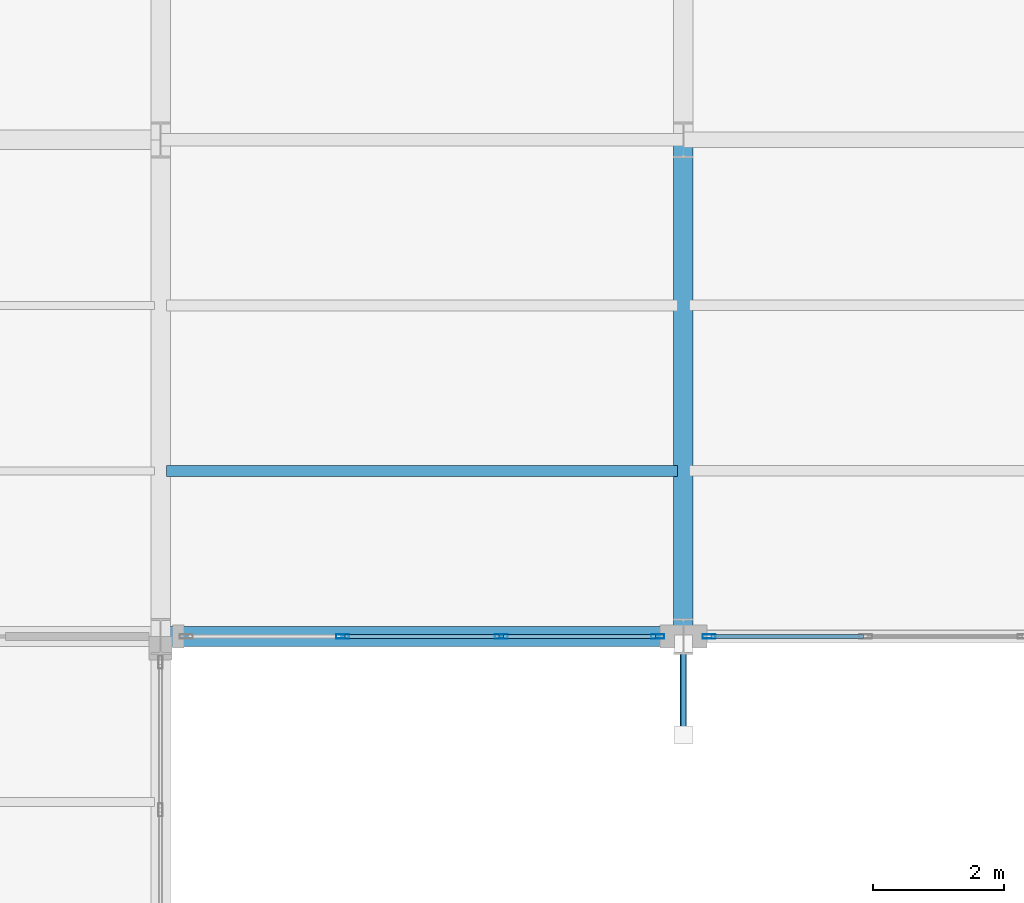
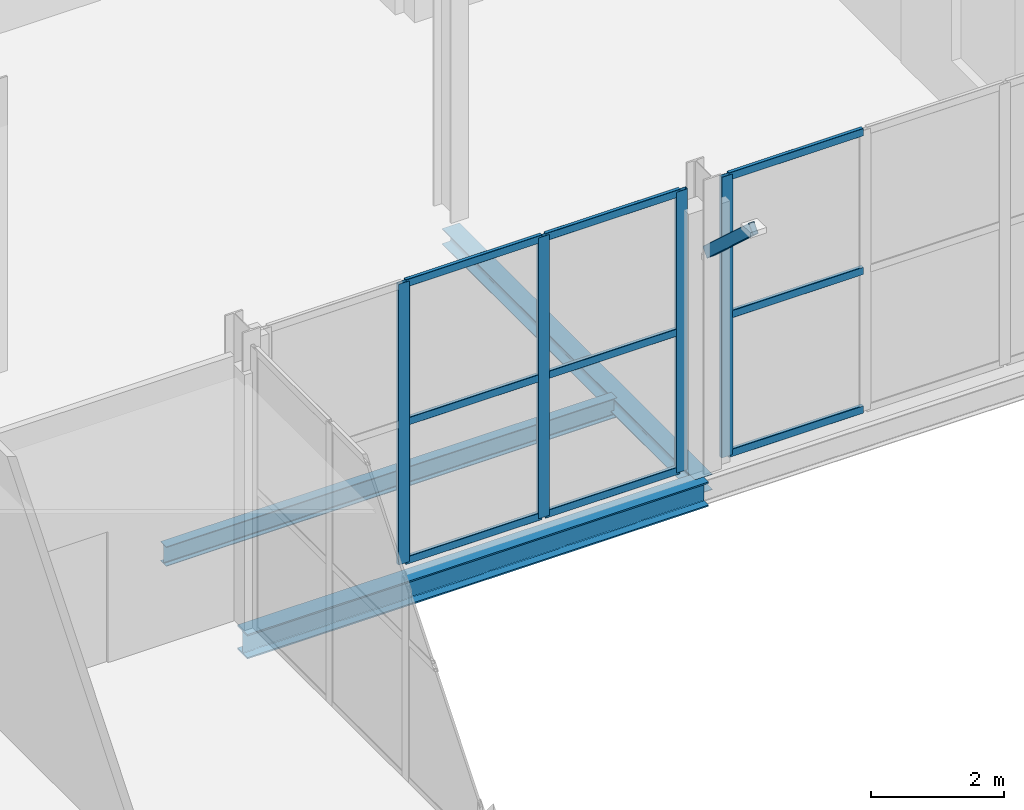
# One storey, part 74 of 147: 14 members, 3 beams, 2 elements without a shape of their own.
"""IFC4 building model written with IfcOpenShell, lengths in metres."""

import ifcopenshell
import ifcopenshell.guid

model = None  # the IFC model being written
_history = None  # IfcOwnerHistory: only IFC2X3 demands one
_inside = {}  # id of a spatial element -> (the spatial element, [elements in it])
_under = {}  # id of a project, library or spatial element -> (it, [spatial elements below it])
_declared = {}  # id of a project -> (the project, [libraries it declares])
_typed = {}  # id of a type object -> (the type object, [elements of that type])
_made_of = {}  # id of a material, layer set ... -> (it, [elements and type objects made of it])


def new_model(schema):
    """Start an empty IFC model of exactly this schema.

    Asked for "IFC4X3", IfcOpenShell would pick the latest addendum, in which some entities
    have other attributes; the version numbers below select the first issue.
    IFC2X3 requires an IfcOwnerHistory on every rooted entity: one is made here for all.
    """
    global model, _history
    if schema == "IFC4X3":
        model = ifcopenshell.file(schema_version=(4, 3, 0, 0))
    else:
        model = ifcopenshell.file(schema=schema)
    _inside.clear()
    _under.clear()
    _declared.clear()
    _typed.clear()
    _made_of.clear()
    _history = None
    if model.schema == "IFC2X3":
        org = make("IfcOrganization", Name="unknown")
        user = make(
            "IfcPersonAndOrganization",
            ThePerson=make("IfcPerson", FamilyName="unknown"),
            TheOrganization=org,
        )
        app = make(
            "IfcApplication",
            ApplicationDeveloper=org,
            Version="unknown",
            ApplicationFullName="unknown",
            ApplicationIdentifier="unknown",
        )
        _history = make(
            "IfcOwnerHistory",
            OwningUser=user,
            OwningApplication=app,
            ChangeAction="ADDED",
            CreationDate=0,
        )
    return model


def make(cls, **values):
    """One entity of the class cls with the attributes given. An attribute that is None is left unset."""
    return model.create_entity(
        cls, **{name: value for name, value in values.items() if value is not None}
    )


def rooted(cls, **values):
    """An entity with a GlobalId (a new one), such as an element, a storey or a relation."""
    return make(cls, GlobalId=ifcopenshell.guid.new(), OwnerHistory=_history, **values)


def si_unit(unit_type, name, prefix=None):
    """IfcSIUnit, for example si_unit("LENGTHUNIT", "METRE", prefix="MILLI")."""
    return make("IfcSIUnit", UnitType=unit_type, Prefix=prefix, Name=name)


def assignment(units):
    """IfcUnitAssignment: the units of a project."""
    return None if units is None else make("IfcUnitAssignment", Units=units)


def point(xyz):
    """IfcCartesianPoint."""
    return None if xyz is None else make("IfcCartesianPoint", Coordinates=xyz)


def direction(xyz):
    """IfcDirection."""
    return None if xyz is None else make("IfcDirection", DirectionRatios=xyz)


def frame(location, z_axis=None, x_axis=None):
    """IfcAxis2Placement3D, a coordinate frame: its origin and axes. An axis left out is left unset."""
    return make(
        "IfcAxis2Placement3D",
        Location=point(location),
        Axis=direction(z_axis),
        RefDirection=direction(x_axis),
    )


def frame_2d(location, x_axis=None):
    """IfcAxis2Placement2D, a coordinate frame in the plane: its origin and x axis."""
    return make(
        "IfcAxis2Placement2D", Location=point(location), RefDirection=direction(x_axis)
    )


def origin():
    """The frame at (0, 0, 0) with its axes left unset."""
    return frame((0.0, 0.0, 0.0))


def origin_2d():
    """The frame at (0, 0) in the plane with its x axis left unset."""
    return frame_2d((0.0, 0.0))


def place(relative_to, where):
    """IfcLocalPlacement: puts the frame where relative to a parent placement (None: the world)."""
    return make(
        "IfcLocalPlacement", PlacementRelTo=relative_to, RelativePlacement=where
    )


def context(
    kind, dimensions, precision=None, world=None, true_north=None, identifier=None
):
    """IfcGeometricRepresentationContext, for example the 3D "Model" context."""
    return make(
        "IfcGeometricRepresentationContext",
        ContextIdentifier=identifier,
        ContextType=kind,
        CoordinateSpaceDimension=dimensions,
        Precision=precision,
        WorldCoordinateSystem=world,
        TrueNorth=true_north,
    )


def subcontext(parent, identifier, kind, view, scale=None):
    """IfcGeometricRepresentationSubContext, for example "Body" below "Model"."""
    return make(
        "IfcGeometricRepresentationSubContext",
        ContextIdentifier=identifier,
        ContextType=kind,
        ParentContext=parent,
        TargetScale=scale,
        TargetView=view,
    )


def project(units=None, contexts=None):
    """IfcProject with its units and contexts."""
    return rooted(
        "IfcProject",
        Name="project",
        RepresentationContexts=contexts,
        UnitsInContext=assignment(units),
    )


def spatial(cls, under=None, at=None, **own):
    """A site, building, storey or space (cls), placed at a placement, below another one or the project."""
    s = rooted(cls, ObjectPlacement=at, **own)
    if under is not None:
        _under.setdefault(under.id(), (under, []))[1].append(s)
    return s


def profile(cls, at=None, kind="AREA", **sizes):
    """A parametric profile (cls). Its sizes go by their IFC names, for example OverallWidth=200.0."""
    return make(cls, ProfileType=kind, Position=at, **sizes)


def hollow_rectangle(**sizes):
    """IfcRectangleHollowProfileDef."""
    return profile("IfcRectangleHollowProfileDef", **sizes)


def i_section(**sizes):
    """IfcIShapeProfileDef."""
    return profile("IfcIShapeProfileDef", **sizes)


def extrude(swept, where, along, depth):
    """IfcExtrudedAreaSolid: the profile swept, set in the frame where, extruded along a direction by depth."""
    return make(
        "IfcExtrudedAreaSolid",
        SweptArea=swept,
        Position=where,
        ExtrudedDirection=direction(along),
        Depth=depth,
    )


def shape(context_of_items, identifier, shape_type, items):
    """IfcShapeRepresentation: the items that make up one representation, for example the "Body"."""
    return make(
        "IfcShapeRepresentation",
        ContextOfItems=context_of_items,
        RepresentationIdentifier=identifier,
        RepresentationType=shape_type,
        Items=items,
    )


def material(Name=None, Category=None):
    """IfcMaterial."""
    return make("IfcMaterial", Name=Name, Category=Category)


def layer(
    of_material, thickness, ventilated=None, Name=None, Category=None, Priority=None
):
    """IfcMaterialLayer: one layer of a wall or slab, of a material (None: an air gap)."""
    return make(
        "IfcMaterialLayer",
        Material=of_material,
        LayerThickness=thickness,
        IsVentilated=ventilated,
        Name=Name,
        Category=Category,
        Priority=Priority,
    )


def layer_set(layers, Name=None):
    """IfcMaterialLayerSet."""
    return make("IfcMaterialLayerSet", MaterialLayers=layers, LayerSetName=Name)


def material_profile(
    of_material, cross_section, Name=None, Category=None, Priority=None
):
    """IfcMaterialProfile: a cross section and its material."""
    return make(
        "IfcMaterialProfile",
        Name=Name,
        Material=of_material,
        Profile=cross_section,
        Priority=Priority,
        Category=Category,
    )


def profile_set(profiles, Name=None, composite=None):
    """IfcMaterialProfileSet."""
    return make(
        "IfcMaterialProfileSet",
        Name=Name,
        MaterialProfiles=profiles,
        CompositeProfile=composite,
    )


def made_of(thing, what):
    """Note that an element or type object is made of a material, layer set ...; save() writes the relation."""
    if what is not None:
        _made_of.setdefault(what.id(), (what, []))[1].append(thing)
    return thing


def type_object(cls, material=None, **own):
    """A type object (cls), such as IfcWallType, which elements share."""
    return made_of(rooted(cls, **own), material)


def element(
    cls,
    number,
    at=None,
    inside=None,
    cuts=None,
    type_object=None,
    material=None,
    context=None,
    identifier="Body",
    shape_type=None,
    held_by="IfcProductDefinitionShape",
    body=None,
    shapes=None,
    **own,
):
    """One element of the class cls, such as IfcWall. Its Tag is "e" and its number.

    at: its placement. inside: the storey or other place that contains it. cuts: it is an
    opening in that element (IfcRelVoidsElement). A single representation is given by context,
    identifier, shape_type and body (its items); several are given by shapes. held_by: the class
    of the entity that holds the representations. save() writes the other relations.
    """
    e = rooted(cls, Tag="e%d" % number, ObjectPlacement=at, **own)
    if body is not None:
        shapes = [shape(context, identifier, shape_type, body)]
    if shapes is not None:
        e.Representation = make(held_by, Representations=shapes)
    if inside is not None:
        _inside.setdefault(inside.id(), (inside, []))[1].append(e)
    if cuts is not None:
        rooted(
            "IfcRelVoidsElement", RelatingBuildingElement=cuts, RelatedOpeningElement=e
        )
    if type_object is not None:
        _typed.setdefault(type_object.id(), (type_object, []))[1].append(e)
    return made_of(e, material)


def aggregate(whole, parts):
    """IfcRelAggregates: a whole, such as a stair, and the parts it consists of."""
    return rooted("IfcRelAggregates", RelatingObject=whole, RelatedObjects=parts)


def save(model, path):
    """Write the relations noted so far, then the file.

    IfcRelAggregates (storeys below a building ...), IfcRelContainedInSpatialStructure (elements
    in a storey), IfcRelDefinesByType, IfcRelAssociatesMaterial and IfcRelDeclares: one each for
    every whole, place, type object, material and project.
    """
    for whole, parts in _under.values():
        aggregate(whole, parts)
    for where, things in _inside.values():
        rooted(
            "IfcRelContainedInSpatialStructure",
            RelatedElements=things,
            RelatingStructure=where,
        )
    for kind, things in _typed.values():
        rooted("IfcRelDefinesByType", RelatedObjects=things, RelatingType=kind)
    for what, things in _made_of.values():
        rooted("IfcRelAssociatesMaterial", RelatedObjects=things, RelatingMaterial=what)
    for by, libraries in _declared.values():
        rooted("IfcRelDeclares", RelatingContext=by, RelatedDefinitions=libraries)
    model.write(path)


model = new_model("IFC4")

# Units and contexts
model_context = context("Model", 3, precision=1e-05, world=origin(), true_north=direction((0.0, 1.0)))
body_context = subcontext(model_context, "Body", "Model", "MODEL_VIEW")
ifc_project = project(units=[si_unit("LENGTHUNIT", "METRE"), si_unit("AREAUNIT", "SQUARE_METRE"), si_unit("VOLUMEUNIT", "CUBIC_METRE"), si_unit("PLANEANGLEUNIT", "RADIAN"), si_unit("MASSUNIT", "GRAM", prefix="KILO")], contexts=[model_context])

# Site, building, storey
site_placement = place(None, origin())
site = spatial("IfcSite", under=ifc_project, at=site_placement, CompositionType="ELEMENT")
building_placement = place(site_placement, origin())
building = spatial("IfcBuilding", under=site, at=building_placement, Name="Vekula Escarpment Museum", CompositionType="ELEMENT")
storey_placement = place(building_placement, frame((0.0, 0.0, 7.800048828125)))
storey = spatial("IfcBuildingStorey", under=building, at=storey_placement, Name="L02", CompositionType="ELEMENT", Elevation=7.800048828125)

# Beams
ifc_material_1 = material(Name="Steel S355", Category="steel")
ifc_material_profile_1 = material_profile(ifc_material_1, i_section(OverallWidth=0.300048828125, OverallDepth=0.449951171875, WebThickness=0.013916015625, FlangeThickness=0.02587890625, FilletRadius=0.027099609375, at=origin_2d()), Name="HEB 450")
ifc_profile_set_1 = profile_set([ifc_material_profile_1], Name="Steel S355")
beam_type_1 = type_object("IfcBeamType", Name="BM-GIRD-HEB450", PredefinedType="BEAM", material=ifc_profile_set_1)
beam_1_placement = place(storey_placement, frame((102.0, 120.800048828125, -0.485107421875), z_axis=(1.0, 0.0, 0.0), x_axis=(0.0, 1.0, 0.0)))
element("IfcBeam", 1, at=beam_1_placement, inside=storey, type_object=beam_type_1, Name="Beam X L02 0991", PredefinedType="BEAM", context=body_context, shape_type="SweptSolid", body=[
    extrude(i_section(OverallWidth=0.300048828125, OverallDepth=0.449951171875, WebThickness=0.013916015625, FlangeThickness=0.02587890625, FilletRadius=0.027099609375, at=origin_2d()), origin(), (0.0, 0.0, 1.0), 8.0),
])
ifc_material_2 = material(Name="Steel S355", Category="steel")
ifc_material_profile_2 = material_profile(ifc_material_2, i_section(OverallWidth=0.169921875, OverallDepth=0.360107421875, WebThickness=0.008056640625, FlangeThickness=0.0126953125, FilletRadius=0.01806640625, at=origin_2d()), Name="IPE 360")
ifc_profile_set_2 = profile_set([ifc_material_profile_2], Name="Steel S355")
beam_type_2 = type_object("IfcBeamType", Name="BM-JST-IPE360", PredefinedType="JOIST", material=ifc_profile_set_2)
beam_2_placement = place(storey_placement, frame((102.090087890625, 123.333251953125, -0.43994140625), z_axis=(1.0, 0.0, 0.0), x_axis=(0.0, 1.0, 0.0)))
element("IfcBeam", 2, at=beam_2_placement, inside=storey, type_object=beam_type_2, Name="Secondary Joist L02 0800", PredefinedType="JOIST", context=body_context, shape_type="SweptSolid", body=[
    extrude(i_section(OverallWidth=0.169921875, OverallDepth=0.360107421875, WebThickness=0.008056640625, FlangeThickness=0.0126953125, FilletRadius=0.01806640625, at=origin_2d()), origin(), (0.0, 0.0, 1.0), 7.81982421875),
])
ifc_material_3 = material(Name="Steel S355", Category="steel")
ifc_material_profile_3 = material_profile(ifc_material_3, i_section(OverallWidth=0.300048828125, OverallDepth=0.2900390625, WebThickness=0.008544921875, FlangeThickness=0.013916015625, FilletRadius=0.027099609375, at=origin_2d()), Name="HEA 300")
ifc_profile_set_3 = profile_set([ifc_material_profile_3], Name="Steel S355")
beam_type_3 = type_object("IfcBeamType", Name="BM-SPAN-HEA300", PredefinedType="SPANDREL", material=ifc_profile_set_3)
beam_3_placement = place(storey_placement, frame((110.0, 120.800048828125, -0.405029296875), z_axis=(0.0, 1.0, 0.0), x_axis=(-1.0, 0.0, 0.0)))
element("IfcBeam", 3, at=beam_3_placement, inside=storey, type_object=beam_type_3, Name="Beam Y L02 1192", PredefinedType="SPANDREL", context=body_context, shape_type="SweptSolid", body=[
    extrude(i_section(OverallWidth=0.300048828125, OverallDepth=0.2900390625, WebThickness=0.008544921875, FlangeThickness=0.013916015625, FilletRadius=0.027099609375, at=origin_2d()), origin(), (0.0, 0.0, 1.0), 7.599853515625),
])

# Curtain wall, members
ifc_material_4 = material(Name="Aluminium thermally broken framing", Category="aluminium")
ifc_layer_1 = layer(ifc_material_4, 0.199951171875)
ifc_layer_set_1 = layer_set([ifc_layer_1], Name="Aluminium thermally broken framing")
curtain_wall_type_1 = type_object("IfcCurtainWallType", Name="CW-SYS-03", PredefinedType="NOTDEFINED", material=ifc_layer_set_1)
curtain_wall_1_placement = place(storey_placement, origin())
curtain_wall_1 = element("IfcCurtainWall", 4, at=curtain_wall_1_placement, inside=storey, type_object=curtain_wall_type_1, Name="Curtain Wall CW-L02-083", PredefinedType="NOTDEFINED")
ifc_material_5 = material(Name="Aluminium anodized mullion", Category="aluminium")
ifc_material_profile_4 = material_profile(ifc_material_5, hollow_rectangle(XDim=0.06494140625, YDim=0.199951171875, WallThickness=0.00390625, InnerFilletRadius=0.00390625, OuterFilletRadius=0.008056640625, at=origin_2d()), Name="ALU 200x65x4")
ifc_profile_set_4 = profile_set([ifc_material_profile_4], Name="Aluminium anodized mullion")
member_type_1 = type_object("IfcMemberType", Name="CW-MUL-200", PredefinedType="MULLION", material=ifc_profile_set_4)
member_1_placement = place(storey_placement, frame((104.78662109375, 120.800048828125, 0.0), z_axis=(0.0, 0.0, 1.0), x_axis=(0.0, 1.0, 0.0)))
member_1 = element("IfcMember", 5, at=member_1_placement, type_object=member_type_1, Name="CW-03 mullion 2", PredefinedType="MULLION", context=body_context, shape_type="SweptSolid", body=[
    extrude(hollow_rectangle(XDim=0.06494140625, YDim=0.199951171875, WallThickness=0.00390625, InnerFilletRadius=0.00390625, OuterFilletRadius=0.008056640625, at=origin_2d()), origin(), (0.0, 0.0, 1.0), 5.14990234375),
])
member_2_placement = place(storey_placement, frame((107.21337890625, 120.800048828125, 0.0), z_axis=(0.0, 0.0, 1.0), x_axis=(0.0, 1.0, 0.0)))
member_2 = element("IfcMember", 6, at=member_2_placement, type_object=member_type_1, Name="CW-03 mullion 3", PredefinedType="MULLION", context=body_context, shape_type="SweptSolid", body=[
    extrude(hollow_rectangle(XDim=0.06494140625, YDim=0.199951171875, WallThickness=0.00390625, InnerFilletRadius=0.00390625, OuterFilletRadius=0.008056640625, at=origin_2d()), origin(), (0.0, 0.0, 1.0), 5.14990234375),
])
member_3_placement = place(storey_placement, frame((109.607421875, 120.800048828125, 0.0), z_axis=(0.0, 0.0, 1.0), x_axis=(0.0, 1.0, 0.0)))
member_3 = element("IfcMember", 7, at=member_3_placement, type_object=member_type_1, Name="CW-03 mullion 4", PredefinedType="MULLION", context=body_context, shape_type="SweptSolid", body=[
    extrude(hollow_rectangle(XDim=0.06494140625, YDim=0.199951171875, WallThickness=0.00390625, InnerFilletRadius=0.00390625, OuterFilletRadius=0.008056640625, at=origin_2d()), origin(), (0.0, 0.0, 1.0), 5.14990234375),
])

# Curtain wall, member
ifc_material_6 = material(Name="Aluminium thermally broken framing", Category="aluminium")
ifc_layer_2 = layer(ifc_material_6, 0.199951171875)
ifc_layer_set_2 = layer_set([ifc_layer_2], Name="Aluminium thermally broken framing")
curtain_wall_type_2 = type_object("IfcCurtainWallType", Name="CW-SYS-04", PredefinedType="NOTDEFINED", material=ifc_layer_set_2)
curtain_wall_2_placement = place(storey_placement, origin())
curtain_wall_2 = element("IfcCurtainWall", 8, at=curtain_wall_2_placement, inside=storey, type_object=curtain_wall_type_2, Name="Curtain Wall CW-L02-084", PredefinedType="NOTDEFINED")
member_4_placement = place(storey_placement, frame((110.392578125, 120.800048828125, 0.0), z_axis=(0.0, 0.0, 1.0), x_axis=(0.0, 1.0, 0.0)))
member_4 = element("IfcMember", 9, at=member_4_placement, type_object=member_type_1, Name="CW-04 mullion 1", PredefinedType="MULLION", context=body_context, shape_type="SweptSolid", body=[
    extrude(hollow_rectangle(XDim=0.06494140625, YDim=0.199951171875, WallThickness=0.00390625, InnerFilletRadius=0.00390625, OuterFilletRadius=0.008056640625, at=origin_2d()), origin(), (0.0, 0.0, 1.0), 5.14990234375),
])

# Member
ifc_material_7 = material(Name="Aluminium anodized transom", Category="aluminium")
ifc_material_profile_5 = material_profile(ifc_material_7, hollow_rectangle(XDim=0.06494140625, YDim=0.139892578125, WallThickness=0.00390625, InnerFilletRadius=0.00390625, OuterFilletRadius=0.008056640625, at=origin_2d()), Name="ALU 140x65x4")
ifc_profile_set_5 = profile_set([ifc_material_profile_5], Name="Aluminium anodized transom")
member_type_2 = type_object("IfcMemberType", Name="CW-TRN-140", PredefinedType="USERDEFINED", material=ifc_profile_set_5)
member_5_placement = place(storey_placement, frame((104.819091796875, 120.800048828125, 0.032470703125), z_axis=(1.0, 0.0, 0.0), x_axis=(0.0, 1.0, 0.0)))
member_5 = element("IfcMember", 10, at=member_5_placement, type_object=member_type_2, Name="CW-03 transom 2.1", ObjectType="TRANSOM", PredefinedType="USERDEFINED", context=body_context, shape_type="SweptSolid", body=[
    extrude(hollow_rectangle(XDim=0.06494140625, YDim=0.139892578125, WallThickness=0.00390625, InnerFilletRadius=0.00390625, OuterFilletRadius=0.008056640625, at=origin_2d()), origin(), (0.0, 0.0, 1.0), 2.36181640625),
])

member_6_placement = place(storey_placement, frame((104.819091796875, 120.800048828125, 2.574951171875), z_axis=(1.0, 0.0, 0.0), x_axis=(0.0, 1.0, 0.0)))
member_6 = element("IfcMember", 11, at=member_6_placement, type_object=member_type_2, Name="CW-03 transom 2.2", ObjectType="TRANSOM", PredefinedType="USERDEFINED", context=body_context, shape_type="SweptSolid", body=[
    extrude(hollow_rectangle(XDim=0.06494140625, YDim=0.139892578125, WallThickness=0.00390625, InnerFilletRadius=0.00390625, OuterFilletRadius=0.008056640625, at=origin_2d()), origin(), (0.0, 0.0, 1.0), 2.36181640625),
])

member_7_placement = place(storey_placement, frame((104.819091796875, 120.800048828125, 5.117431640625), z_axis=(1.0, 0.0, 0.0), x_axis=(0.0, 1.0, 0.0)))
member_7 = element("IfcMember", 12, at=member_7_placement, type_object=member_type_2, Name="CW-03 transom 2.3", ObjectType="TRANSOM", PredefinedType="USERDEFINED", context=body_context, shape_type="SweptSolid", body=[
    extrude(hollow_rectangle(XDim=0.06494140625, YDim=0.139892578125, WallThickness=0.00390625, InnerFilletRadius=0.00390625, OuterFilletRadius=0.008056640625, at=origin_2d()), origin(), (0.0, 0.0, 1.0), 2.36181640625),
])

member_8_placement = place(storey_placement, frame((107.245849609375, 120.800048828125, 0.032470703125), z_axis=(1.0, 0.0, 0.0), x_axis=(0.0, 1.0, 0.0)))
member_8 = element("IfcMember", 13, at=member_8_placement, type_object=member_type_2, Name="CW-03 transom 3.1", ObjectType="TRANSOM", PredefinedType="USERDEFINED", context=body_context, shape_type="SweptSolid", body=[
    extrude(hollow_rectangle(XDim=0.06494140625, YDim=0.139892578125, WallThickness=0.00390625, InnerFilletRadius=0.00390625, OuterFilletRadius=0.008056640625, at=origin_2d()), origin(), (0.0, 0.0, 1.0), 2.3291015625),
])

member_9_placement = place(storey_placement, frame((107.245849609375, 120.800048828125, 2.574951171875), z_axis=(1.0, 0.0, 0.0), x_axis=(0.0, 1.0, 0.0)))
member_9 = element("IfcMember", 14, at=member_9_placement, type_object=member_type_2, Name="CW-03 transom 3.2", ObjectType="TRANSOM", PredefinedType="USERDEFINED", context=body_context, shape_type="SweptSolid", body=[
    extrude(hollow_rectangle(XDim=0.06494140625, YDim=0.139892578125, WallThickness=0.00390625, InnerFilletRadius=0.00390625, OuterFilletRadius=0.008056640625, at=origin_2d()), origin(), (0.0, 0.0, 1.0), 2.3291015625),
])

member_10_placement = place(storey_placement, frame((107.245849609375, 120.800048828125, 5.117431640625), z_axis=(1.0, 0.0, 0.0), x_axis=(0.0, 1.0, 0.0)))
member_10 = element("IfcMember", 15, at=member_10_placement, type_object=member_type_2, Name="CW-03 transom 3.3", ObjectType="TRANSOM", PredefinedType="USERDEFINED", context=body_context, shape_type="SweptSolid", body=[
    extrude(hollow_rectangle(XDim=0.06494140625, YDim=0.139892578125, WallThickness=0.00390625, InnerFilletRadius=0.00390625, OuterFilletRadius=0.008056640625, at=origin_2d()), origin(), (0.0, 0.0, 1.0), 2.3291015625),
])

aggregate(curtain_wall_1, [member_1, member_2, member_3, member_5, member_6, member_7, member_8, member_9, member_10])

member_11_placement = place(storey_placement, frame((110.425048828125, 120.800048828125, 0.032470703125), z_axis=(1.0, 0.0, 0.0), x_axis=(0.0, 1.0, 0.0)))
member_11 = element("IfcMember", 16, at=member_11_placement, type_object=member_type_2, Name="CW-04 transom 1.1", ObjectType="TRANSOM", PredefinedType="USERDEFINED", context=body_context, shape_type="SweptSolid", body=[
    extrude(hollow_rectangle(XDim=0.06494140625, YDim=0.139892578125, WallThickness=0.00390625, InnerFilletRadius=0.00390625, OuterFilletRadius=0.008056640625, at=origin_2d()), origin(), (0.0, 0.0, 1.0), 2.3291015625),
])

member_12_placement = place(storey_placement, frame((110.425048828125, 120.800048828125, 2.574951171875), z_axis=(1.0, 0.0, 0.0), x_axis=(0.0, 1.0, 0.0)))
member_12 = element("IfcMember", 17, at=member_12_placement, type_object=member_type_2, Name="CW-04 transom 1.2", ObjectType="TRANSOM", PredefinedType="USERDEFINED", context=body_context, shape_type="SweptSolid", body=[
    extrude(hollow_rectangle(XDim=0.06494140625, YDim=0.139892578125, WallThickness=0.00390625, InnerFilletRadius=0.00390625, OuterFilletRadius=0.008056640625, at=origin_2d()), origin(), (0.0, 0.0, 1.0), 2.3291015625),
])

member_13_placement = place(storey_placement, frame((110.425048828125, 120.800048828125, 5.117431640625), z_axis=(1.0, 0.0, 0.0), x_axis=(0.0, 1.0, 0.0)))
member_13 = element("IfcMember", 18, at=member_13_placement, type_object=member_type_2, Name="CW-04 transom 1.3", ObjectType="TRANSOM", PredefinedType="USERDEFINED", context=body_context, shape_type="SweptSolid", body=[
    extrude(hollow_rectangle(XDim=0.06494140625, YDim=0.139892578125, WallThickness=0.00390625, InnerFilletRadius=0.00390625, OuterFilletRadius=0.008056640625, at=origin_2d()), origin(), (0.0, 0.0, 1.0), 2.3291015625),
])

aggregate(curtain_wall_2, [member_4, member_11, member_12, member_13])

ifc_material_8 = material(Name="Steel S355", Category="steel")
ifc_material_profile_6 = material_profile(ifc_material_8, hollow_rectangle(XDim=0.10009765625, YDim=0.199951171875, WallThickness=0.008056640625, InnerFilletRadius=0.008056640625, OuterFilletRadius=0.01611328125, at=origin_2d()), Name="RHS 200x100x8")
ifc_profile_set_6 = profile_set([ifc_material_profile_6], Name="Steel S355")
member_type_3 = type_object("IfcMemberType", Name="MB-SACAK-BRK", PredefinedType="STRUT", material=ifc_profile_set_6)
member_14_placement = place(storey_placement, frame((110.0, 120.679931640625, 3.949951171875), z_axis=(0.0, -0.738454378718, 0.674303441006), x_axis=(1.0, 0.0, 0.0)))
element("IfcMember", 19, at=member_14_placement, inside=storey, type_object=member_type_3, Name="Ottoman Sacak Eave Bracket L03-0072", PredefinedType="STRUT", context=body_context, shape_type="SweptSolid", body=[
    extrude(hollow_rectangle(XDim=0.10009765625, YDim=0.199951171875, WallThickness=0.008056640625, InnerFilletRadius=0.008056640625, OuterFilletRadius=0.01611328125, at=origin_2d()), origin(), (0.0, 0.0, 1.0), 1.86865234375),
])

save(model, "model.ifc")
